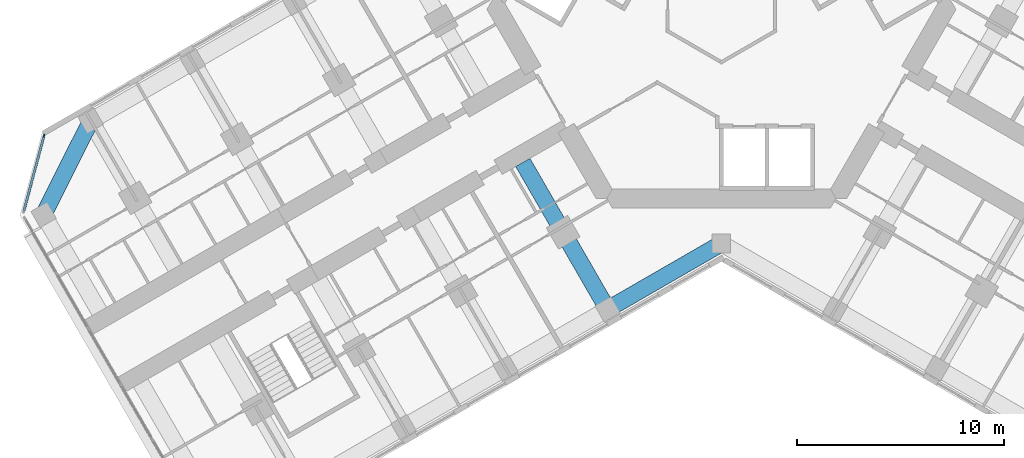
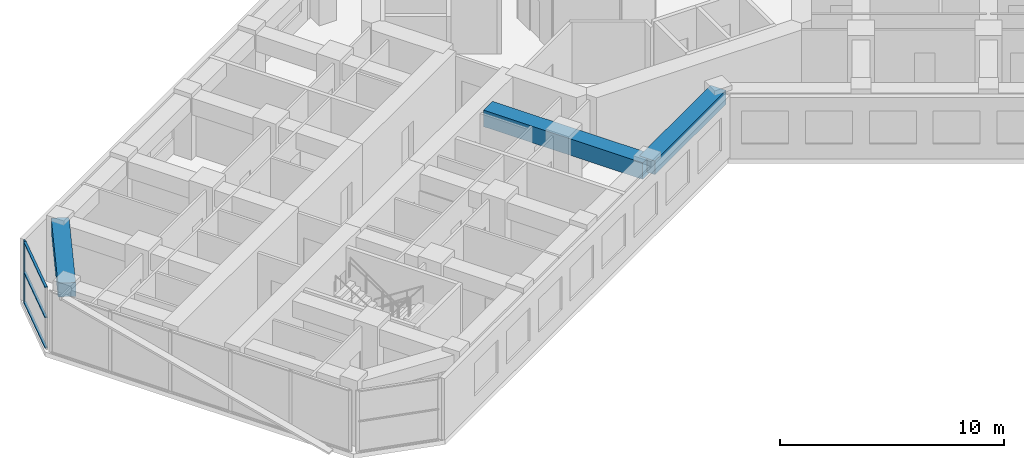
# One storey, part 3 of 19: 4 members, 3 beams, 1 element without a shape of its own.
"""IFC4 building model written with IfcOpenShell, lengths in metres."""

from ifc_helpers import new_model, si_unit, direction, frame, origin, origin_2d, place, context, subcontext, project, spatial, rectangle, extrude, material, material_profile, profile_set, type_object, element, aggregate, save


model = new_model("IFC4")

# Units and contexts
model_context = context("Model", 3, precision=1e-05, world=origin(), true_north=direction((0.0, 1.0)))
body_context = subcontext(model_context, "Body", "Model", "MODEL_VIEW")
ifc_project = project(units=[si_unit("LENGTHUNIT", "METRE"), si_unit("AREAUNIT", "SQUARE_METRE"), si_unit("VOLUMEUNIT", "CUBIC_METRE"), si_unit("PLANEANGLEUNIT", "RADIAN"), si_unit("MASSUNIT", "GRAM", prefix="KILO")], contexts=[model_context])

# Site, building, storey
site_placement = place(None, origin())
site = spatial("IfcSite", under=ifc_project, at=site_placement, CompositionType="ELEMENT")
building_placement = place(site_placement, origin())
building = spatial("IfcBuilding", under=site, at=building_placement, Name="Kosmar Iwan School Tower", CompositionType="ELEMENT")
storey_placement = place(building_placement, frame((0.0, 0.0, 134.60009765625)))
storey = spatial("IfcBuildingStorey", under=building, at=storey_placement, Name="L33", CompositionType="ELEMENT", Elevation=134.60009765625)

# Curtain wall, member
ifc_material_1 = material(Name="Dark glass in black aluminium frame", Category="aluminium")
curtain_wall_type = type_object("IfcCurtainWallType", Name="Chamfer curtain wall dark glass", PredefinedType="USERDEFINED", material=ifc_material_1)
curtain_wall_placement = place(storey_placement, origin())
curtain_wall = element("IfcCurtainWall", 1, at=curtain_wall_placement, inside=storey, type_object=curtain_wall_type, Name="Curtain wall L33-F12", ObjectType="FACETED CURTAIN WALL", PredefinedType="USERDEFINED")
ifc_material_2 = material(Name="Black anodised aluminium", Category="aluminium")
ifc_material_profile_1 = material_profile(ifc_material_2, rectangle(XDim=0.06005859375, YDim=0.159912109375, at=origin_2d()), Name="MULLION 60x160")
ifc_profile_set_1 = profile_set([ifc_material_profile_1], Name="Black anodised aluminium")
member_type_1 = type_object("IfcMemberType", Name="Mullion 60x160", PredefinedType="MULLION", material=ifc_profile_set_1)
member_1_placement = place(storey_placement, frame((-32.78076171875, -6.5732421875, 0.0), z_axis=(0.0, 0.0, 1.0), x_axis=(0.965925875495, -0.258818861462, 0.0)))
member_1 = element("IfcMember", 2, at=member_1_placement, type_object=member_type_1, Name="CW2 mullion 1", PredefinedType="MULLION", context=body_context, shape_type="SweptSolid", body=[
    extrude(rectangle(XDim=0.06005859375, YDim=0.159912109375, at=origin_2d()), origin(), (0.0, 0.0, 1.0), 3.349853515625),
])

# Beams
ifc_material_3 = material(Name="Concrete C50/60", Category="concrete")
ifc_material_profile_2 = material_profile(ifc_material_3, rectangle(XDim=0.800048828125, YDim=0.75, at=origin_2d()), Name="RC 800x750")
ifc_profile_set_2 = profile_set([ifc_material_profile_2], Name="Concrete C50/60")
beam_type_1 = type_object("IfcBeamType", Name="RC edge beam 800x750", PredefinedType="BEAM", material=ifc_profile_set_2)
beam_1_placement = place(storey_placement, frame((0.0, -11.77783203125, 2.974853515625), z_axis=(-0.866014293216, -0.500019243575, 0.0), x_axis=(0.500019243575, -0.866014293216, 0.0)))
element("IfcBeam", 3, at=beam_1_placement, inside=storey, type_object=beam_type_1, Name="Edge beam BL1", PredefinedType="BEAM", context=body_context, shape_type="SweptSolid", body=[
    extrude(rectangle(XDim=0.800048828125, YDim=0.75, at=origin_2d()), origin(), (0.0, 0.0, 1.0), 6.361083984375),
])
ifc_material_4 = material(Name="Concrete C50/60", Category="concrete")
ifc_material_profile_3 = material_profile(ifc_material_4, rectangle(XDim=0.800048828125, YDim=0.75, at=origin_2d()), Name="RC 800x750")
ifc_profile_set_3 = profile_set([ifc_material_profile_3], Name="Concrete C50/60")
beam_type_2 = type_object("IfcBeamType", Name="RC tip beam 800x750", PredefinedType="BEAM", material=ifc_profile_set_3)
beam_2_placement = place(storey_placement, frame((-30.517822265625, -5.841552734375, 2.974853515625), z_axis=(-0.44809604203, -0.893985423325, 0.0), x_axis=(0.893985423325, -0.44809604203, 0.0)))
element("IfcBeam", 4, at=beam_2_placement, inside=storey, type_object=beam_type_2, Name="Tip beam BR", PredefinedType="BEAM", context=body_context, shape_type="SweptSolid", body=[
    extrude(rectangle(XDim=0.800048828125, YDim=0.75, at=origin_2d()), origin(), (0.0, 0.0, 1.0), 5.08935546875),
])
ifc_material_5 = material(Name="Concrete C50/60", Category="concrete")
ifc_material_profile_4 = material_profile(ifc_material_5, rectangle(XDim=0.800048828125, YDim=0.89990234375, at=origin_2d()), Name="RC 800x900")
ifc_profile_set_4 = profile_set([ifc_material_profile_4], Name="Concrete C50/60")
beam_type_3 = type_object("IfcBeamType", Name="RC transverse beam 800x900", PredefinedType="BEAM", material=ifc_profile_set_4)
beam_3_placement = place(storey_placement, frame((-5.5087890625, -14.95849609375, 2.89990234375), z_axis=(-0.500000789788, 0.8660249478, 0.0), x_axis=(-0.8660249478, -0.500000789788, 0.0)))
element("IfcBeam", 5, at=beam_3_placement, inside=storey, type_object=beam_type_3, Name="Transverse beam BL1", PredefinedType="BEAM", context=body_context, shape_type="SweptSolid", body=[
    extrude(rectangle(XDim=0.800048828125, YDim=0.89990234375, at=origin_2d()), origin(), (0.0, 0.0, 1.0), 8.2001953125),
])

# Member
ifc_material_6 = material(Name="Black anodised aluminium", Category="aluminium")
ifc_material_profile_5 = material_profile(ifc_material_6, rectangle(XDim=0.1201171875, YDim=0.06005859375, at=origin_2d()), Name="TRANSOM 60x120")
ifc_profile_set_5 = profile_set([ifc_material_profile_5], Name="Black anodised aluminium")
member_type_2 = type_object("IfcMemberType", Name="Transom 60x120", PredefinedType="USERDEFINED", material=ifc_profile_set_5)
member_2_placement = place(storey_placement, frame((-32.788330078125, -6.602294921875, 0.02978515625), z_axis=(-0.258843273983, -0.965919333854, 0.0), x_axis=(0.965919333854, -0.258843273983, 0.0)))
member_2 = element("IfcMember", 6, at=member_2_placement, type_object=member_type_2, Name="CW2 transom 1.1", ObjectType="TRANSOM", PredefinedType="USERDEFINED", context=body_context, shape_type="SweptSolid", body=[
    extrude(rectangle(XDim=0.1201171875, YDim=0.06005859375, at=origin_2d()), origin(), (0.0, 0.0, 1.0), 3.718994140625),
])

member_3_placement = place(storey_placement, frame((-32.788330078125, -6.602294921875, 1.6748046875), z_axis=(-0.258843273983, -0.965919333854, 0.0), x_axis=(0.965919333854, -0.258843273983, 0.0)))
member_3 = element("IfcMember", 7, at=member_3_placement, type_object=member_type_2, Name="CW2 transom 1.2", ObjectType="TRANSOM", PredefinedType="USERDEFINED", context=body_context, shape_type="SweptSolid", body=[
    extrude(rectangle(XDim=0.1201171875, YDim=0.06005859375, at=origin_2d()), origin(), (0.0, 0.0, 1.0), 3.718994140625),
])

member_4_placement = place(storey_placement, frame((-32.788330078125, -6.602294921875, 3.31982421875), z_axis=(-0.258843273983, -0.965919333854, 0.0), x_axis=(0.965919333854, -0.258843273983, 0.0)))
member_4 = element("IfcMember", 8, at=member_4_placement, type_object=member_type_2, Name="CW2 transom 1.3", ObjectType="TRANSOM", PredefinedType="USERDEFINED", context=body_context, shape_type="SweptSolid", body=[
    extrude(rectangle(XDim=0.1201171875, YDim=0.06005859375, at=origin_2d()), origin(), (0.0, 0.0, 1.0), 3.718994140625),
])

aggregate(curtain_wall, [member_1, member_2, member_3, member_4])

save(model, "model.ifc")
